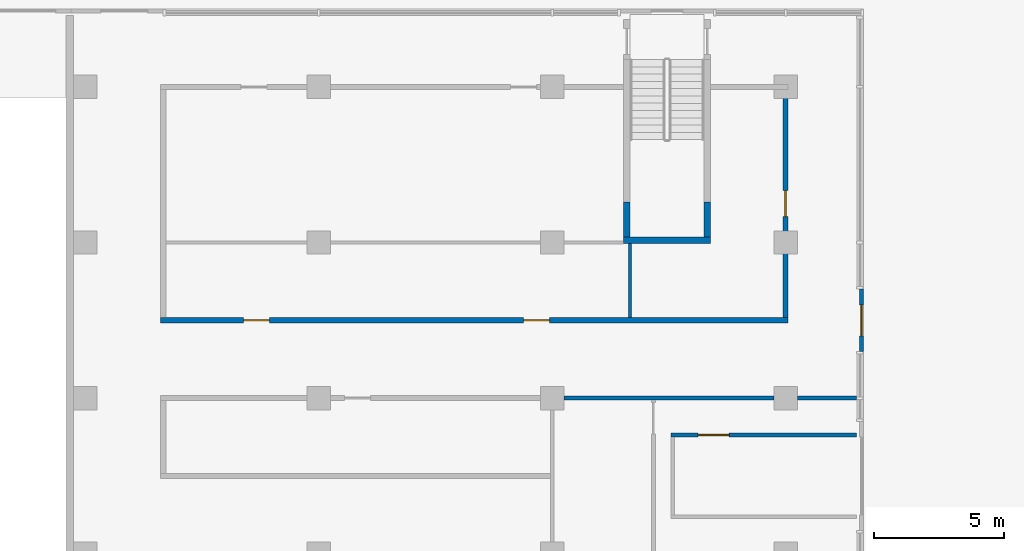
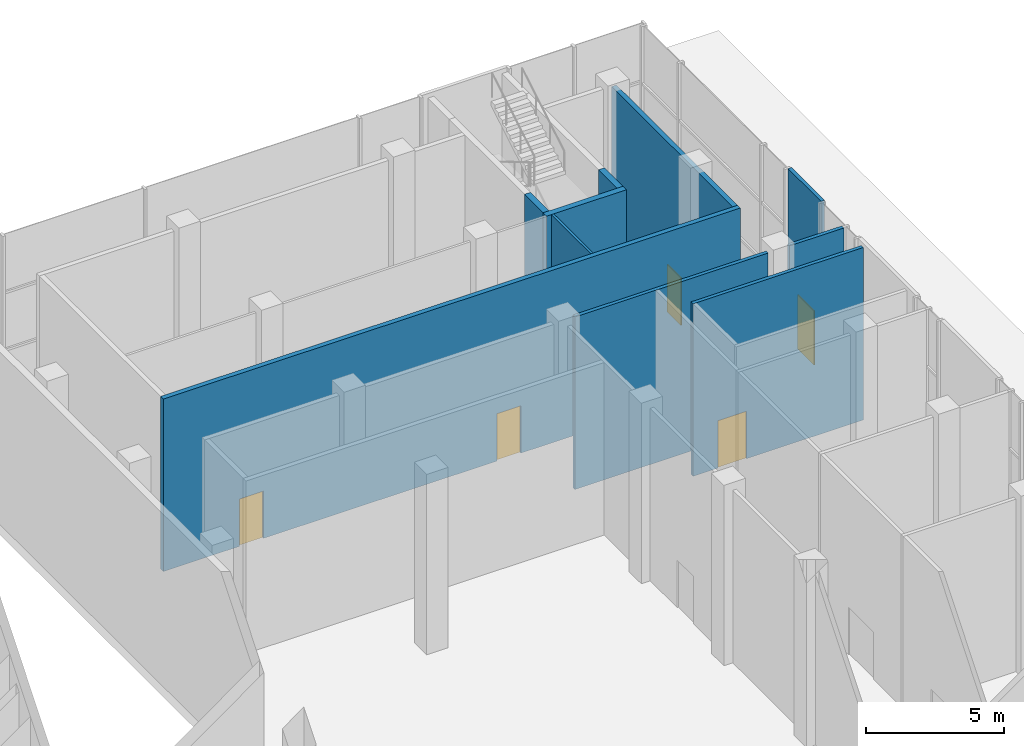
# One storey, part 24 of 29: 10 walls, 5 doors, 5 openings.
"""IFC4 building model written with IfcOpenShell, lengths in metres."""

from ifc_helpers import new_model, si_unit, direction, frame, frame_2d, origin, place, context, subcontext, project, spatial, rectangle, extrude, material, layer, layer_set, type_object, element, fill, save


model = new_model("IFC4")

# Units and contexts
model_context = context("Model", 3, precision=1e-05, world=origin(), true_north=direction((0.0, 1.0)))
body_context = subcontext(model_context, "Body", "Model", "MODEL_VIEW")
ifc_project = project(units=[si_unit("LENGTHUNIT", "METRE"), si_unit("AREAUNIT", "SQUARE_METRE"), si_unit("VOLUMEUNIT", "CUBIC_METRE"), si_unit("PLANEANGLEUNIT", "RADIAN"), si_unit("MASSUNIT", "GRAM", prefix="KILO")], contexts=[model_context])

# Site, building, storey
site_placement = place(None, origin())
site = spatial("IfcSite", under=ifc_project, at=site_placement, CompositionType="ELEMENT")
building_placement = place(site_placement, origin())
building = spatial("IfcBuilding", under=site, at=building_placement, Name="Finial Court Residences", CompositionType="ELEMENT")
storey_placement = place(building_placement, origin())
storey = spatial("IfcBuildingStorey", under=building, at=storey_placement, Name="L00", CompositionType="ELEMENT", Elevation=0.0)

# Wall, openings, doors
ifc_material_1 = material(Name="Gypsum board")
ifc_layer_1 = layer(ifc_material_1, 0.02490234375)
ifc_material_2 = material(Name="Acoustic mineral wool in double frame")
ifc_layer_2 = layer(ifc_material_2, 0.14990234375)
ifc_layer_3 = layer(ifc_material_1, 0.02490234375)
ifc_layer_set_1 = layer_set([ifc_layer_1, ifc_layer_2, ifc_layer_3], Name="Corridor wall 200, 1 hour")
wall_type_1 = type_object("IfcWallType", Name="Corridor wall 200, 1 hour", PredefinedType="PARTITIONING", material=ifc_layer_set_1)
wall_1_placement = place(storey_placement, frame((34.39990234375, 22.5, 0.0), z_axis=(0.0, 0.0, 1.0), x_axis=(1.0, 0.0, 0.0)))
wall_1 = element("IfcWall", 1, at=wall_1_placement, inside=storey, type_object=wall_type_1, Name="Partition L00-026", PredefinedType="PARTITIONING", context=body_context, shape_type="SweptSolid", body=[
    extrude(rectangle(XDim=24.2001953125, YDim=0.199951171875, at=frame_2d((12.10009765625, 0.0))), origin(), (0.0, 0.0, 1.0), 7.64990234375),
])
opening_1_placement = place(wall_1_placement, frame((3.199951171875, 0.0, 0.0)))
opening_1 = element("IfcOpeningElement", 2, at=opening_1_placement, cuts=wall_1, Name="Opening L00-D029", PredefinedType="OPENING", context=body_context, shape_type="SweptSolid", body=[
    extrude(rectangle(XDim=1.0, YDim=2.10009765625, at=frame_2d((0.5, 1.050048828125))), frame((0.0, 0.10986328125, 0.0), z_axis=(0.0, -1.0, 0.0), x_axis=(1.0, 0.0, 0.0)), (0.0, 0.0, 1.0), 0.219970703125),
])
opening_2_placement = place(wall_1_placement, frame((14.0, 0.0, 0.0)))
opening_2 = element("IfcOpeningElement", 3, at=opening_2_placement, cuts=wall_1, Name="Opening L00-D030", PredefinedType="OPENING", context=body_context, shape_type="SweptSolid", body=[
    extrude(rectangle(XDim=1.0, YDim=2.10009765625, at=frame_2d((0.5, 1.050048828125))), frame((0.0, 0.10986328125, 0.0), z_axis=(0.0, -1.0, 0.0), x_axis=(1.0, 0.0, 0.0)), (0.0, 0.0, 1.0), 0.219970703125),
])
ifc_material_3 = material(Name="Timber door leaf in hollow metal frame", Category="wood")
door_type_1 = type_object("IfcDoorType", Name="Fire door set 1000 x 2100, 30 minutes", OperationType="SINGLE_SWING_LEFT", PredefinedType="DOOR", material=ifc_material_3)
door_1_placement = place(opening_1_placement, origin())
door_1 = element("IfcDoor", 4, at=door_1_placement, inside=storey, type_object=door_type_1, Name="Door L00-D029", OperationType="SINGLE_SWING_RIGHT", OverallHeight=2.10009765625, OverallWidth=1.0, PredefinedType="DOOR", context=body_context, shape_type="SweptSolid", body=[
    extrude(rectangle(XDim=1.0, YDim=2.10009765625, at=frame_2d((0.5, 1.050048828125))), frame((0.0, 0.02490234375, 0.0), z_axis=(0.0, -1.0, 0.0), x_axis=(1.0, 0.0, 0.0)), (0.0, 0.0, 1.0), 0.050048828125),
])
fill(opening_1, door_1)
door_2_placement = place(opening_2_placement, origin())
door_2 = element("IfcDoor", 5, at=door_2_placement, inside=storey, type_object=door_type_1, Name="Door L00-D030", OperationType="SINGLE_SWING_LEFT", OverallHeight=2.10009765625, OverallWidth=1.0, PredefinedType="DOOR", context=body_context, shape_type="SweptSolid", body=[
    extrude(rectangle(XDim=1.0, YDim=2.10009765625, at=frame_2d((0.5, 1.050048828125))), frame((0.0, 0.02490234375, 0.0), z_axis=(0.0, -1.0, 0.0), x_axis=(1.0, 0.0, 0.0)), (0.0, 0.0, 1.0), 0.050048828125),
])
fill(opening_2, door_2)

# Wall, opening, door
wall_2_placement = place(storey_placement, frame((58.5, 22.60009765625, 0.0), z_axis=(0.0, 0.0, 1.0), x_axis=(0.0, 1.0, 0.0)))
wall_2 = element("IfcWall", 6, at=wall_2_placement, inside=storey, type_object=wall_type_1, Name="Partition L00-053", PredefinedType="PARTITIONING", context=body_context, shape_type="SweptSolid", body=[
    extrude(rectangle(XDim=8.7998046875, YDim=0.199951171875, at=frame_2d((4.39990234375, 0.0))), origin(), (0.0, 0.0, 1.0), 7.64990234375),
])
opening_3_placement = place(wall_2_placement, frame((3.89990234375, 0.0, 0.0)))
opening_3 = element("IfcOpeningElement", 7, at=opening_3_placement, cuts=wall_2, Name="Opening L00-D039", PredefinedType="OPENING", context=body_context, shape_type="SweptSolid", body=[
    extrude(rectangle(XDim=1.0, YDim=2.10009765625, at=frame_2d((0.5, 1.050048828125))), frame((0.0, 0.10986328125, 0.0), z_axis=(0.0, -1.0, 0.0), x_axis=(1.0, 0.0, 0.0)), (0.0, 0.0, 1.0), 0.219970703125),
])
door_3_placement = place(opening_3_placement, origin())
door_3 = element("IfcDoor", 8, at=door_3_placement, inside=storey, type_object=door_type_1, Name="Door L00-D039", OperationType="SINGLE_SWING_LEFT", OverallHeight=2.10009765625, OverallWidth=1.0, PredefinedType="DOOR", context=body_context, shape_type="SweptSolid", body=[
    extrude(rectangle(XDim=1.0, YDim=2.10009765625, at=frame_2d((0.5, 1.050048828125))), frame((0.0, 0.02490234375, 0.0), z_axis=(0.0, -1.0, 0.0), x_axis=(1.0, 0.0, 0.0)), (0.0, 0.0, 1.0), 0.050048828125),
])
fill(opening_3, door_3)

ifc_material_4 = material(Name="Natural limestone", Category="masonry")
ifc_layer_4 = layer(ifc_material_4, 0.14990234375)
ifc_layer_set_2 = layer_set([ifc_layer_4], Name="Entrance portal wall, limestone 150")
wall_type_2 = type_object("IfcWallType", Name="Entrance portal wall, limestone 150", PredefinedType="SOLIDWALL", material=ifc_layer_set_2)
wall_3_placement = place(storey_placement, frame((61.425048828125, 23.699951171875, 0.0), z_axis=(0.0, 0.0, 1.0), x_axis=(0.0, -1.0, 0.0)))
wall_3 = element("IfcWall", 9, at=wall_3_placement, inside=storey, type_object=wall_type_2, Name="E-L00-ENT16", PredefinedType="SOLIDWALL", context=body_context, shape_type="SweptSolid", body=[
    extrude(rectangle(XDim=2.39990234375, YDim=0.14990234375, at=frame_2d((1.199951171875, 0.0))), origin(), (0.0, 0.0, 1.0), 7.64990234375),
])
opening_4_placement = place(wall_3_placement, frame((0.60009765625, 0.0, 0.0)))
opening_4 = element("IfcOpeningElement", 10, at=opening_4_placement, cuts=wall_3, Name="Opening DE00-16", PredefinedType="OPENING", context=body_context, shape_type="SweptSolid", body=[
    extrude(rectangle(XDim=1.199951171875, YDim=2.39990234375, at=frame_2d((0.60009765625, 1.199951171875))), frame((0.0, 0.0849609375, 0.0), z_axis=(0.0, -1.0, 0.0), x_axis=(1.0, 0.0, 0.0)), (0.0, 0.0, 1.0), 0.169921875),
])
ifc_material_5 = material(Name="Bronze anodised aluminium", Category="aluminium")
door_type_2 = type_object("IfcDoorType", Name="Shopfront entrance door 1200 x 2400", OperationType="SINGLE_SWING_LEFT", PredefinedType="DOOR", material=ifc_material_5)
door_4_placement = place(opening_4_placement, origin())
door_4 = element("IfcDoor", 11, at=door_4_placement, inside=storey, type_object=door_type_2, Name="E-L00-ENT16-D", OperationType="SINGLE_SWING_LEFT", OverallHeight=2.39990234375, OverallWidth=1.199951171875, PredefinedType="DOOR", context=body_context, shape_type="SweptSolid", body=[
    extrude(rectangle(XDim=1.199951171875, YDim=2.39990234375, at=frame_2d((0.60009765625, 1.199951171875))), frame((0.0, 0.02490234375, 0.0), z_axis=(0.0, -1.0, 0.0), x_axis=(1.0, 0.0, 0.0)), (0.0, 0.0, 1.0), 0.050048828125),
])
fill(opening_4, door_4)

# Wall
ifc_layer_5 = layer(ifc_material_1, 0.012451171875)
ifc_material_6 = material(Name="Mineral wool in light-gauge frame")
ifc_layer_6 = layer(ifc_material_6, 0.074951171875)
ifc_layer_7 = layer(ifc_material_1, 0.012451171875)
ifc_layer_set_3 = layer_set([ifc_layer_5, ifc_layer_6, ifc_layer_7], Name="Gypsum board partition 100")
wall_type_3 = type_object("IfcWallType", Name="Gypsum board partition 100", PredefinedType="PARTITIONING", material=ifc_layer_set_3)
wall_4_placement = place(storey_placement, frame((52.5, 22.60009765625, 0.0), z_axis=(0.0, 0.0, 1.0), x_axis=(0.0, 1.0, 0.0)))
element("IfcWall", 12, at=wall_4_placement, inside=storey, type_object=wall_type_3, Name="Partition L00-051", PredefinedType="PARTITIONING", context=body_context, shape_type="SweptSolid", body=[
    extrude(rectangle(XDim=2.869873046875, YDim=0.10009765625, at=frame_2d((1.43505859375, 0.0))), origin(), (0.0, 0.0, 1.0), 7.64990234375),
])

# Wall, opening, door
ifc_material_7 = material(Name="Concrete C25/30", Category="concrete")
ifc_layer_8 = layer(ifc_material_7, 0.14990234375)
ifc_layer_set_4 = layer_set([ifc_layer_8], Name="Service partition 150 Concrete C25/30")
wall_type_4 = type_object("IfcWallType", Name="Service partition 150 Concrete C25/30", PredefinedType="PARTITIONING", material=ifc_layer_set_4)
wall_5_placement = place(storey_placement, frame((54.074951171875, 18.074951171875, 0.0), z_axis=(0.0, 0.0, 1.0), x_axis=(1.0, 0.0, 0.0)))
wall_5 = element("IfcWall", 13, at=wall_5_placement, inside=storey, type_object=wall_type_4, Name="Service partition L00-V022", PredefinedType="PARTITIONING", context=body_context, shape_type="SweptSolid", body=[
    extrude(rectangle(XDim=7.150146484375, YDim=0.14990234375, at=frame_2d((3.5751953125, 0.0))), origin(), (0.0, 0.0, 1.0), 7.64990234375),
])
opening_5_placement = place(wall_5_placement, frame((1.050048828125, 0.0, 0.0)))
opening_5 = element("IfcOpeningElement", 14, at=opening_5_placement, cuts=wall_5, Name="Opening L00-V11", PredefinedType="OPENING", context=body_context, shape_type="SweptSolid", body=[
    extrude(rectangle(XDim=1.199951171875, YDim=2.10009765625, at=frame_2d((0.60009765625, 1.050048828125))), frame((0.0, 0.0849609375, 0.0), z_axis=(0.0, -1.0, 0.0), x_axis=(1.0, 0.0, 0.0)), (0.0, 0.0, 1.0), 0.169921875),
])
ifc_material_8 = material(Name="Steel fire door", Category="steel")
door_type_3 = type_object("IfcDoorType", Name="Service access door 1200 x 2100 EI 60", OperationType="NOTDEFINED", PredefinedType="DOOR", material=ifc_material_8)
door_5_placement = place(opening_5_placement, origin())
door_5 = element("IfcDoor", 15, at=door_5_placement, inside=storey, type_object=door_type_3, Name="Service access door L00-V11", OperationType="SINGLE_SWING_LEFT", OverallHeight=2.10009765625, OverallWidth=1.199951171875, PredefinedType="DOOR", context=body_context, shape_type="SweptSolid", body=[
    extrude(rectangle(XDim=1.199951171875, YDim=2.10009765625, at=frame_2d((0.60009765625, 1.050048828125))), frame((0.0, 0.02490234375, 0.0), z_axis=(0.0, -1.0, 0.0), x_axis=(1.0, 0.0, 0.0)), (0.0, 0.0, 1.0), 0.050048828125),
])
fill(opening_5, door_5)

# Walls
wall_6_placement = place(storey_placement, frame((49.949951171875, 19.5, 0.0), z_axis=(0.0, 0.0, 1.0), x_axis=(1.0, 0.0, 0.0)))
element("IfcWall", 16, at=wall_6_placement, inside=storey, type_object=wall_type_4, Name="Service partition L00-V023", PredefinedType="PARTITIONING", context=body_context, shape_type="SweptSolid", body=[
    extrude(rectangle(XDim=8.10009765625, YDim=0.14990234375, at=frame_2d((4.050048828125, 0.0))), origin(), (0.0, 0.0, 1.0), 7.64990234375),
])
wall_7_placement = place(storey_placement, frame((58.949951171875, 19.5, 0.0), z_axis=(0.0, 0.0, 1.0), x_axis=(1.0, 0.0, 0.0)))
element("IfcWall", 17, at=wall_7_placement, inside=storey, type_object=wall_type_4, Name="Service partition L00-V024", PredefinedType="PARTITIONING", context=body_context, shape_type="SweptSolid", body=[
    extrude(rectangle(XDim=2.275146484375, YDim=0.14990234375, at=frame_2d((1.1376953125, 0.0))), origin(), (0.0, 0.0, 1.0), 7.64990234375),
])
ifc_material_9 = material(Name="Concrete C50/60", Category="concrete")
ifc_layer_9 = layer(ifc_material_9, 0.25)
ifc_layer_set_5 = layer_set([ifc_layer_9], Name="Stair enclosure wall 250 Concrete C50/60")
wall_type_5 = type_object("IfcWallType", Name="Stair enclosure wall 250 Concrete C50/60", PredefinedType="SHEAR", material=ifc_layer_set_5)
for number, where, z_axis, x_axis, name in (
    (18, (52.375, 25.719970703125, 0.0), (0.0, 0.0, 1.0), (0.0, 1.0, 0.0), "Exit Stair 5 enclosure wall L00-W3"),
    (19, (55.47509765625, 25.719970703125, 0.0), (0.0, 0.0, 1.0), (0.0, 1.0, 0.0), "Exit Stair 5 enclosure wall L00-E3"),
):
    element("IfcWall", number, at=place(storey_placement, frame(where, z_axis=z_axis, x_axis=x_axis)), inside=storey, type_object=wall_type_5, Name=name, PredefinedType="SHEAR", context=body_context, shape_type="SweptSolid", body=[
        extrude(rectangle(XDim=1.35009765625, YDim=0.25, at=frame_2d((0.675048828125, 0.0))), origin(), (0.0, 0.0, 1.0), 7.64990234375),
    ])
wall_8_placement = place(storey_placement, frame((52.25, 25.594970703125, 0.0), z_axis=(0.0, 0.0, 1.0), x_axis=(1.0, 0.0, 0.0)))
element("IfcWall", 20, at=wall_8_placement, inside=storey, type_object=wall_type_5, Name="Exit Stair 5 enclosure wall L00-N", PredefinedType="SHEAR", context=body_context, shape_type="SweptSolid", body=[
    extrude(rectangle(XDim=3.35009765625, YDim=0.25, at=frame_2d((1.675048828125, 0.0))), origin(), (0.0, 0.0, 1.0), 7.64990234375),
])

save(model, "model.ifc")
